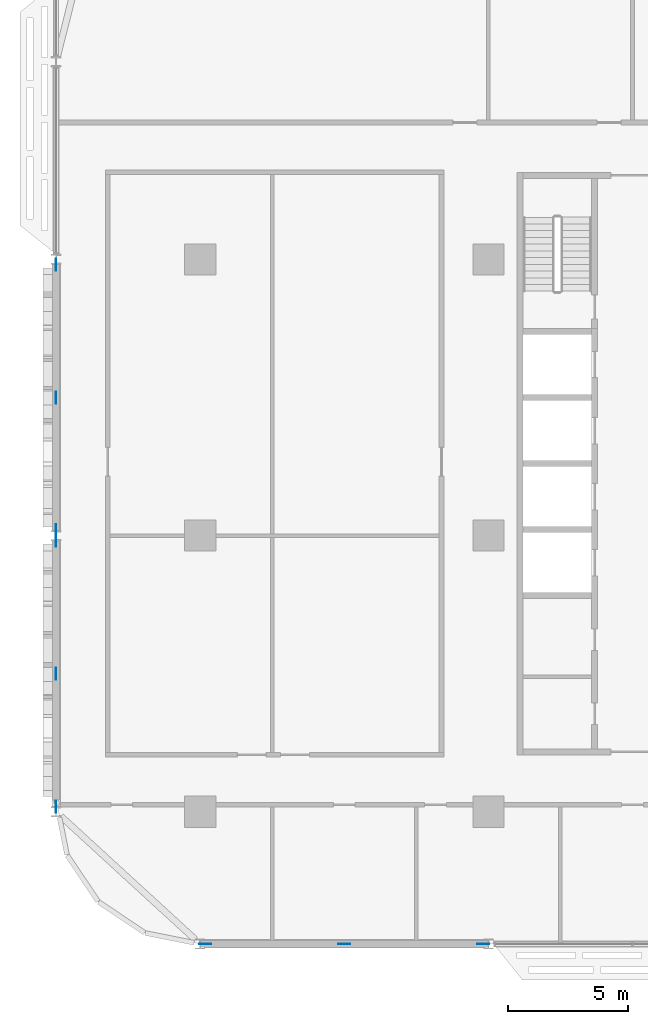
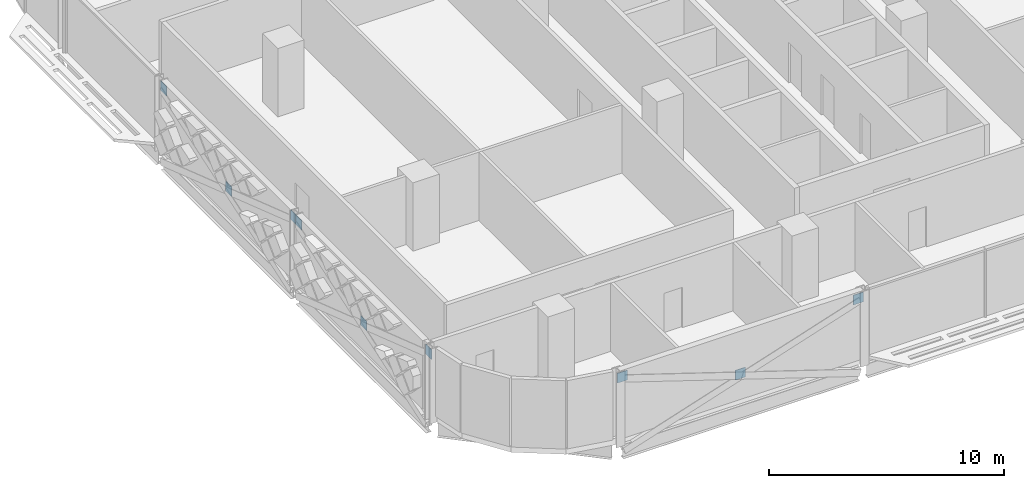
# One storey, part 20 of 29: 9 discrete accessories.
"""IFC4 building model written with IfcOpenShell, lengths in metres."""

from ifc_helpers import new_model, si_unit, direction, frame, origin, origin_2d, place, context, subcontext, project, spatial, rectangle, extrude, material, layer, layer_set, type_object, element, save


model = new_model("IFC4")

# Units and contexts
model_context = context("Model", 3, precision=1e-05, world=origin(), true_north=direction((0.0, 1.0)))
body_context = subcontext(model_context, "Body", "Model", "MODEL_VIEW")
ifc_project = project(units=[si_unit("LENGTHUNIT", "METRE"), si_unit("AREAUNIT", "SQUARE_METRE"), si_unit("VOLUMEUNIT", "CUBIC_METRE"), si_unit("PLANEANGLEUNIT", "RADIAN"), si_unit("MASSUNIT", "GRAM", prefix="KILO")], contexts=[model_context])

# Site, building, storey
site_placement = place(None, origin())
site = spatial("IfcSite", under=ifc_project, at=site_placement, CompositionType="ELEMENT")
building_placement = place(site_placement, origin())
building = spatial("IfcBuilding", under=site, at=building_placement, Name="Mahtab Terrace Research Tower", CompositionType="ELEMENT")
storey_placement = place(building_placement, frame((0.0, 0.0, 150.699951171875)))
storey = spatial("IfcBuildingStorey", under=building, at=storey_placement, Name="L35", CompositionType="ELEMENT", Elevation=150.699951171875)

# Discrete accessories
ifc_material = material(Name="Steel ASTM A992 Gr 50", Category="steel")
ifc_layer = layer(ifc_material, 0.030029296875)
ifc_layer_set = layer_set([ifc_layer], Name="Gusset plate 500x500x30")
discrete_accessory_type = type_object("IfcDiscreteAccessoryType", Name="Gusset plate 500x500x30", PredefinedType="USERDEFINED", material=ifc_layer_set)
for number, where, z_axis, x_axis, name in (
    (1, (-41.794189453125, -17.0, 2.85498046875), (0.0, 0.0, 1.0), (1.0, 0.0, 0.0), "Gusset plate"),
    (2, (-36.0, -17.0, 0.9765625), (0.0, 0.0, 1.0), (1.0, 0.0, 0.0), "Gusset plate"),
    (3, (-30.205810546875, -17.0, 2.85498046875), (0.0, 0.0, 1.0), (1.0, 0.0, 0.0), "Gusset plate"),
    (4, (-48.0, -11.28271484375, 2.84814453125), (0.0, 0.0, 1.0), (0.0, 1.0, 0.0), "Gusset plate"),
    (5, (-48.0, -5.75, 0.9765625), (0.0, 0.0, 1.0), (0.0, 1.0, 0.0), "Gusset plate"),
    (6, (-48.0, -0.21728515625, 2.84814453125), (0.0, 0.0, 1.0), (0.0, 1.0, 0.0), "Gusset plate"),
    (7, (-48.0, 0.21728515625, 2.84814453125), (0.0, 0.0, 1.0), (0.0, 1.0, 0.0), "Gusset plate"),
    (8, (-48.0, 5.75, 0.9765625), (0.0, 0.0, 1.0), (0.0, 1.0, 0.0), "Gusset plate"),
    (9, (-48.0, 11.28271484375, 2.84814453125), (0.0, 0.0, 1.0), (0.0, 1.0, 0.0), "Gusset plate"),
):
    element("IfcDiscreteAccessory", number, at=place(storey_placement, frame(where, z_axis=z_axis, x_axis=x_axis)), inside=storey, type_object=discrete_accessory_type, Name=name, ObjectType="GUSSET PLATE", PredefinedType="USERDEFINED", context=body_context, shape_type="SweptSolid", body=[
        extrude(rectangle(XDim=0.5, YDim=0.030029296875, at=origin_2d()), origin(), (0.0, 0.0, 1.0), 0.5),
    ])

save(model, "model.ifc")
